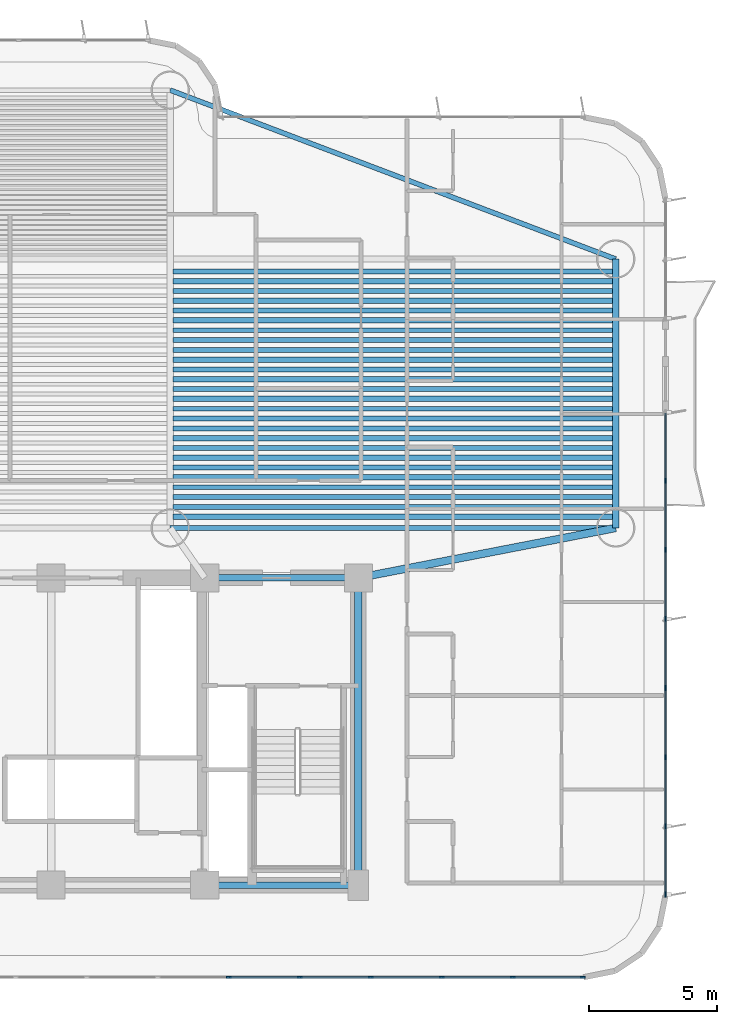
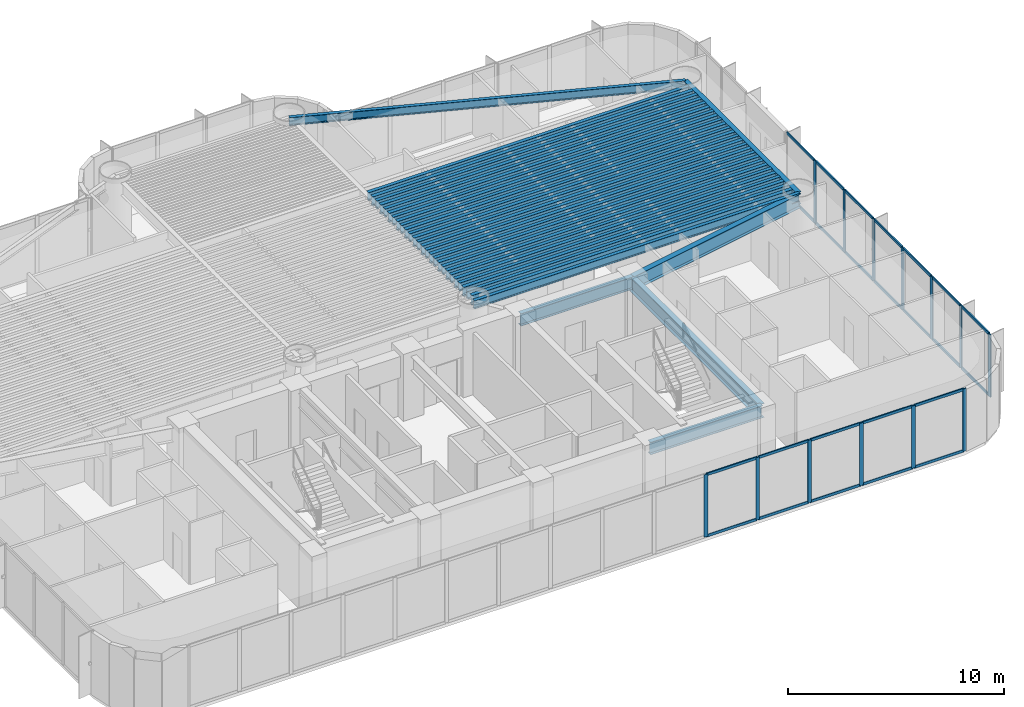
# One storey, part 5 of 19: 37 members, 33 beams, 2 elements without a shape of their own.
"""IFC4 building model written with IfcOpenShell, lengths in metres."""

from ifc_helpers import new_model, si_unit, direction, frame, origin, origin_2d, place, context, subcontext, project, spatial, rectangle, i_section, extrude, source, transform, mapped, material, layer, layer_set, material_profile, profile_set, type_object, element, aggregate, save


model = new_model("IFC4")

# Units and contexts
model_context = context("Model", 3, precision=1e-05, world=origin(), true_north=direction((0.0, 1.0)))
body_context = subcontext(model_context, "Body", "Model", "MODEL_VIEW")
ifc_project = project(units=[si_unit("LENGTHUNIT", "METRE"), si_unit("AREAUNIT", "SQUARE_METRE"), si_unit("VOLUMEUNIT", "CUBIC_METRE"), si_unit("PLANEANGLEUNIT", "RADIAN"), si_unit("MASSUNIT", "GRAM", prefix="KILO")], contexts=[model_context])

# Site, building, storey
site_placement = place(None, origin())
site = spatial("IfcSite", under=ifc_project, at=site_placement, CompositionType="ELEMENT")
building_placement = place(site_placement, origin())
building = spatial("IfcBuilding", under=site, at=building_placement, Name="Brelvock Crest Care Tower", CompositionType="ELEMENT")
storey_placement = place(building_placement, frame((0.0, 0.0, 34.56005859375)))
storey = spatial("IfcBuildingStorey", under=building, at=storey_placement, Name="L08", CompositionType="ELEMENT", Elevation=34.56005859375)

# Beams
ifc_material_1 = material(Name="Steel Grade 350", Category="steel")
ifc_material_profile_1 = material_profile(ifc_material_1, i_section(OverallWidth=0.25, OverallDepth=0.699951171875, WebThickness=0.011962890625, FlangeThickness=0.02001953125, at=origin_2d()), Name="700WB150")
ifc_profile_set_1 = profile_set([ifc_material_profile_1], Name="Steel Grade 350")
beam_type_1 = type_object("IfcBeamType", Name="BM-G4", PredefinedType="BEAM", material=ifc_profile_set_1)
shared_shape_1 = source(origin(), body_context, "Body", "SweptSolid", [
    extrude(i_section(OverallWidth=0.25, OverallDepth=0.699951171875, WebThickness=0.011962890625, FlangeThickness=0.02001953125, at=origin_2d()), origin(), (0.0, 0.0, 1.0), 6.0),
])
for number, where, z_axis, x_axis, name in (
    (1, (42.0, 6.0, 3.179931640625), (1.0, 0.0, 0.0), (0.0, 1.0, 0.0), "BM-CORES-L08-4"),
    (2, (42.0, 18.0, 3.179931640625), (1.0, 0.0, 0.0), (0.0, 1.0, 0.0), "BM-COREN-L08-4"),
):
    element("IfcBeam", number, at=place(storey_placement, frame(where, z_axis=z_axis, x_axis=x_axis)), inside=storey, type_object=beam_type_1, Name=name, PredefinedType="BEAM", context=body_context, shape_type="MappedRepresentation", body=[
        mapped(shared_shape_1, transform((0.0, 0.0, 0.0), x_axis=(1.0, 0.0, 0.0), y_axis=(0.0, 1.0, 0.0), z_axis=(0.0, 0.0, 1.0), scale=1.0)),
    ])
ifc_material_profile_2 = material_profile(ifc_material_1, i_section(OverallWidth=0.300048828125, OverallDepth=0.800048828125, WebThickness=0.013916015625, FlangeThickness=0.02197265625, at=origin_2d()), Name="800WB192")
ifc_profile_set_2 = profile_set([ifc_material_profile_2], Name="Steel Grade 350")
beam_type_2 = type_object("IfcBeamType", Name="BM-G5", PredefinedType="BEAM", material=ifc_profile_set_2)
shared_shape_2 = source(origin(), body_context, "Body", "SweptSolid", [
    extrude(i_section(OverallWidth=0.300048828125, OverallDepth=0.800048828125, WebThickness=0.013916015625, FlangeThickness=0.02197265625, at=origin_2d()), origin(), (0.0, 0.0, 1.0), 12.0),
])
beam_1_placement = place(storey_placement, frame((48.0, 6.0, 3.1298828125), z_axis=(0.0, 1.0, 0.0), x_axis=(-1.0, 0.0, 0.0)))
element("IfcBeam", 3, at=beam_1_placement, inside=storey, type_object=beam_type_2, Name="BM-COREX-L08-5", PredefinedType="BEAM", context=body_context, shape_type="MappedRepresentation", body=[
    mapped(shared_shape_2, transform((0.0, 0.0, 0.0), x_axis=(1.0, 0.0, 0.0), y_axis=(0.0, 1.0, 0.0), z_axis=(0.0, 0.0, 1.0), scale=1.0)),
])
shared_shape_3 = source(origin(), body_context, "Body", "SweptSolid", [
    extrude(i_section(OverallWidth=0.25, OverallDepth=0.699951171875, WebThickness=0.011962890625, FlangeThickness=0.02001953125, at=origin_2d()), origin(), (0.0, 0.0, 1.0), 10.5),
])
beam_2_placement = place(storey_placement, frame((58.050048828125, 19.949951171875, 3.179931640625), z_axis=(0.0, 1.0, 0.0), x_axis=(-1.0, 0.0, 0.0)))
element("IfcBeam", 4, at=beam_2_placement, inside=storey, type_object=beam_type_1, Name="BM-TWR-L08-02", PredefinedType="BEAM", context=body_context, shape_type="MappedRepresentation", body=[
    mapped(shared_shape_3, transform((0.0, 0.0, 0.0), x_axis=(1.0, 0.0, 0.0), y_axis=(0.0, 1.0, 0.0), z_axis=(0.0, 0.0, 1.0), scale=1.0)),
])
ifc_material_profile_3 = material_profile(ifc_material_1, i_section(OverallWidth=0.19091796875, OverallDepth=0.4599609375, WebThickness=0.010009765625, FlangeThickness=0.01611328125, FilletRadius=0.011474609375, at=origin_2d()), Name="460UB82.1")
ifc_profile_set_3 = profile_set([ifc_material_profile_3], Name="Steel Grade 350")
beam_type_3 = type_object("IfcBeamType", Name="BM-SP2", PredefinedType="SPANDREL", material=ifc_profile_set_3)
shared_shape_4 = source(origin(), body_context, "Body", "SweptSolid", [
    extrude(i_section(OverallWidth=0.19091796875, OverallDepth=0.4599609375, WebThickness=0.010009765625, FlangeThickness=0.01611328125, FilletRadius=0.011474609375, at=origin_2d()), origin(), (0.0, 0.0, 1.0), 17.400146484375),
])
beam_3_placement = place(storey_placement, frame((40.64990234375, 19.949951171875, 3.300048828125), z_axis=(1.0, 0.0, 0.0), x_axis=(0.0, 1.0, 0.0)))
element("IfcBeam", 5, at=beam_3_placement, inside=storey, type_object=beam_type_3, Name="BM-TWR-L08-04", PredefinedType="SPANDREL", context=body_context, shape_type="MappedRepresentation", body=[
    mapped(shared_shape_4, transform((0.0, 0.0, 0.0), x_axis=(1.0, 0.0, 0.0), y_axis=(0.0, 1.0, 0.0), z_axis=(0.0, 0.0, 1.0), scale=1.0)),
])
shared_shape_5 = source(origin(), body_context, "Body", "SweptSolid", [
    extrude(i_section(OverallWidth=0.19091796875, OverallDepth=0.4599609375, WebThickness=0.010009765625, FlangeThickness=0.01611328125, FilletRadius=0.011474609375, at=origin_2d()), origin(), (0.0, 0.0, 1.0), 18.60986328125),
])
beam_4_placement = place(storey_placement, frame((40.64990234375, 37.050048828125, 3.300048828125), z_axis=(0.934996776275, -0.3546562115, 0.0), x_axis=(0.3546562115, 0.934996776275, 0.0)))
element("IfcBeam", 6, at=beam_4_placement, inside=storey, type_object=beam_type_3, Name="BM-TWR-L08-07", PredefinedType="SPANDREL", context=body_context, shape_type="MappedRepresentation", body=[
    mapped(shared_shape_5, transform((0.0, 0.0, 0.0), x_axis=(1.0, 0.0, 0.0), y_axis=(0.0, 1.0, 0.0), z_axis=(0.0, 0.0, 1.0), scale=1.0)),
])
shared_shape_6 = source(origin(), body_context, "Body", "SweptSolid", [
    extrude(i_section(OverallWidth=0.300048828125, OverallDepth=0.800048828125, WebThickness=0.013916015625, FlangeThickness=0.02197265625, at=origin_2d()), origin(), (0.0, 0.0, 1.0), 10.237548828125),
])
beam_5_placement = place(storey_placement, frame((48.0, 18.0, 3.1298828125), z_axis=(0.981692632568, 0.190471979991, 0.0), x_axis=(-0.190471979991, 0.981692632568, 0.0)))
element("IfcBeam", 7, at=beam_5_placement, inside=storey, type_object=beam_type_2, Name="BM-THRO-E-L08", PredefinedType="BEAM", context=body_context, shape_type="MappedRepresentation", body=[
    mapped(shared_shape_6, transform((0.0, 0.0, 0.0), x_axis=(1.0, 0.0, 0.0), y_axis=(0.0, 1.0, 0.0), z_axis=(0.0, 0.0, 1.0), scale=1.0)),
])
ifc_material_profile_4 = material_profile(ifc_material_1, i_section(OverallWidth=0.208984375, OverallDepth=0.532958984375, WebThickness=0.01025390625, FlangeThickness=0.015625, FilletRadius=0.013916015625, at=origin_2d()), Name="530UB92.4")
ifc_profile_set_4 = profile_set([ifc_material_profile_4], Name="Steel Grade 350")
beam_type_4 = type_object("IfcBeamType", Name="BM-G2", PredefinedType="BEAM", material=ifc_profile_set_4)
shared_shape_7 = source(origin(), body_context, "Body", "SweptSolid", [
    extrude(i_section(OverallWidth=0.208984375, OverallDepth=0.532958984375, WebThickness=0.01025390625, FlangeThickness=0.015625, FilletRadius=0.013916015625, at=origin_2d()), origin(), (0.0, 0.0, 1.0), 17.170166015625),
])
for number, where, z_axis, x_axis, name in (
    (8, (40.764892578125, 20.39111328125, 3.263427734375), (1.0, 0.0, 0.0), (0.0, 1.0, 0.0), "BM-JE-L08-1"),
    (9, (40.764892578125, 21.157470703125, 3.263427734375), (1.0, 0.0, 0.0), (0.0, 1.0, 0.0), "BM-JE-L08-3"),
    (10, (40.764892578125, 21.924072265625, 3.263427734375), (1.0, 0.0, 0.0), (0.0, 1.0, 0.0), "BM-JE-L08-5"),
    (11, (40.764892578125, 22.6904296875, 3.263427734375), (1.0, 0.0, 0.0), (0.0, 1.0, 0.0), "BM-JE-L08-7"),
    (12, (40.764892578125, 23.45703125, 3.263427734375), (1.0, 0.0, 0.0), (0.0, 1.0, 0.0), "BM-JE-L08-9"),
    (13, (40.764892578125, 24.223388671875, 3.263427734375), (1.0, 0.0, 0.0), (0.0, 1.0, 0.0), "BM-JE-L08-11"),
    (14, (40.764892578125, 24.989990234375, 3.263427734375), (1.0, 0.0, 0.0), (0.0, 1.0, 0.0), "BM-JE-L08-13"),
    (15, (40.764892578125, 25.756591796875, 3.263427734375), (1.0, 0.0, 0.0), (0.0, 1.0, 0.0), "BM-JE-L08-15"),
    (16, (40.764892578125, 26.52294921875, 3.263427734375), (1.0, 0.0, 0.0), (0.0, 1.0, 0.0), "BM-JE-L08-17"),
    (17, (40.764892578125, 27.28955078125, 3.263427734375), (1.0, 0.0, 0.0), (0.0, 1.0, 0.0), "BM-JE-L08-19"),
    (18, (40.764892578125, 28.055908203125, 3.263427734375), (1.0, 0.0, 0.0), (0.0, 1.0, 0.0), "BM-JE-L08-21"),
    (19, (40.764892578125, 28.822509765625, 3.263427734375), (1.0, 0.0, 0.0), (0.0, 1.0, 0.0), "BM-JE-L08-23"),
    (20, (40.764892578125, 29.589111328125, 3.263427734375), (1.0, 0.0, 0.0), (0.0, 1.0, 0.0), "BM-JE-L08-25"),
):
    element("IfcBeam", number, at=place(storey_placement, frame(where, z_axis=z_axis, x_axis=x_axis)), inside=storey, type_object=beam_type_4, Name=name, PredefinedType="BEAM", context=body_context, shape_type="MappedRepresentation", body=[
        mapped(shared_shape_7, transform((0.0, 0.0, 0.0), x_axis=(1.0, 0.0, 0.0), y_axis=(0.0, 1.0, 0.0), z_axis=(0.0, 0.0, 1.0), scale=1.0)),
    ])
ifc_material_profile_5 = material_profile(ifc_material_1, i_section(OverallWidth=0.19091796875, OverallDepth=0.4599609375, WebThickness=0.010009765625, FlangeThickness=0.01611328125, FilletRadius=0.011474609375, at=origin_2d()), Name="460UB82.1")
ifc_profile_set_5 = profile_set([ifc_material_profile_5], Name="Steel Grade 350")
beam_type_5 = type_object("IfcBeamType", Name="BM-G3", PredefinedType="BEAM", material=ifc_profile_set_5)
shared_shape_8 = source(origin(), body_context, "Body", "SweptSolid", [
    extrude(i_section(OverallWidth=0.19091796875, OverallDepth=0.4599609375, WebThickness=0.010009765625, FlangeThickness=0.01611328125, FilletRadius=0.011474609375, at=origin_2d()), origin(), (0.0, 0.0, 1.0), 17.170166015625),
])
for number, where, z_axis, x_axis, name in (
    (21, (40.764892578125, 20.774169921875, 3.300048828125), (1.0, 0.0, 0.0), (0.0, 1.0, 0.0), "BM-JE-L08-2"),
    (22, (40.764892578125, 21.540771484375, 3.300048828125), (1.0, 0.0, 0.0), (0.0, 1.0, 0.0), "BM-JE-L08-4"),
    (23, (40.764892578125, 22.30712890625, 3.300048828125), (1.0, 0.0, 0.0), (0.0, 1.0, 0.0), "BM-JE-L08-6"),
    (24, (40.764892578125, 23.07373046875, 3.300048828125), (1.0, 0.0, 0.0), (0.0, 1.0, 0.0), "BM-JE-L08-8"),
    (25, (40.764892578125, 23.840087890625, 3.300048828125), (1.0, 0.0, 0.0), (0.0, 1.0, 0.0), "BM-JE-L08-10"),
    (26, (40.764892578125, 24.606689453125, 3.300048828125), (1.0, 0.0, 0.0), (0.0, 1.0, 0.0), "BM-JE-L08-12"),
    (27, (40.764892578125, 25.373291015625, 3.300048828125), (1.0, 0.0, 0.0), (0.0, 1.0, 0.0), "BM-JE-L08-14"),
    (28, (40.764892578125, 26.1396484375, 3.300048828125), (1.0, 0.0, 0.0), (0.0, 1.0, 0.0), "BM-JE-L08-16"),
    (29, (40.764892578125, 26.90625, 3.300048828125), (1.0, 0.0, 0.0), (0.0, 1.0, 0.0), "BM-JE-L08-18"),
    (30, (40.764892578125, 27.6728515625, 3.300048828125), (1.0, 0.0, 0.0), (0.0, 1.0, 0.0), "BM-JE-L08-20"),
    (31, (40.764892578125, 28.439208984375, 3.300048828125), (1.0, 0.0, 0.0), (0.0, 1.0, 0.0), "BM-JE-L08-22"),
    (32, (40.764892578125, 29.205810546875, 3.300048828125), (1.0, 0.0, 0.0), (0.0, 1.0, 0.0), "BM-JE-L08-24"),
    (33, (40.764892578125, 29.97216796875, 3.300048828125), (1.0, 0.0, 0.0), (0.0, 1.0, 0.0), "BM-JE-L08-26"),
):
    element("IfcBeam", number, at=place(storey_placement, frame(where, z_axis=z_axis, x_axis=x_axis)), inside=storey, type_object=beam_type_5, Name=name, PredefinedType="BEAM", context=body_context, shape_type="MappedRepresentation", body=[
        mapped(shared_shape_8, transform((0.0, 0.0, 0.0), x_axis=(1.0, 0.0, 0.0), y_axis=(0.0, 1.0, 0.0), z_axis=(0.0, 0.0, 1.0), scale=1.0)),
    ])

# Curtain wall, members
ifc_material_2 = material(Name="Dark Glass Double Glazed Low-E", Category="glass")
ifc_layer = layer(ifc_material_2, 0.195068359375, Name="CWS-2")
ifc_layer_set = layer_set([ifc_layer], Name="Dark Glass Double Glazed Low-E")
curtain_wall_type = type_object("IfcCurtainWallType", Name="CWS-2", PredefinedType="NOTDEFINED", material=ifc_layer_set)
curtain_wall_1_placement = place(storey_placement, origin())
curtain_wall_1 = element("IfcCurtainWall", 34, at=curtain_wall_1_placement, inside=storey, type_object=curtain_wall_type, Name="L08 Curtain Wall E03B", PredefinedType="NOTDEFINED")
ifc_material_3 = material(Name="Aluminium 6063-T6", Category="aluminium")
ifc_material_profile_6 = material_profile(ifc_material_3, rectangle(XDim=0.06494140625, YDim=0.199951171875, at=origin_2d()), Name="ALU65x200")
ifc_profile_set_6 = profile_set([ifc_material_profile_6], Name="Aluminium 6063-T6")
member_type_1 = type_object("IfcMemberType", Name="CWM-1", PredefinedType="MULLION", material=ifc_profile_set_6)
shared_shape_9 = source(origin(), body_context, "Body", "SweptSolid", [
    extrude(rectangle(XDim=0.06494140625, YDim=0.199951171875, at=origin_2d()), origin(), (0.0, 0.0, 1.0), 3.530029296875),
])
member_1_placement = place(storey_placement, frame((60.0, 21.800048828125, 0.0), z_axis=(0.0, 0.0, 1.0), x_axis=(1.0, 0.0, 0.0)))
member_1 = element("IfcMember", 35, at=member_1_placement, type_object=member_type_1, Name="CW-2 mullion 2", PredefinedType="MULLION", context=body_context, shape_type="MappedRepresentation", body=[
    mapped(shared_shape_9, transform((0.0, 0.0, 0.0), x_axis=(1.0, 0.0, 0.0), y_axis=(0.0, 1.0, 0.0), z_axis=(0.0, 0.0, 1.0), scale=1.0)),
])
member_2_placement = place(storey_placement, frame((60.0, 19.10009765625, 0.0), z_axis=(0.0, 0.0, 1.0), x_axis=(1.0, 0.0, 0.0)))
member_2 = element("IfcMember", 36, at=member_2_placement, type_object=member_type_1, Name="CW-2 mullion 3", PredefinedType="MULLION", context=body_context, shape_type="MappedRepresentation", body=[
    mapped(shared_shape_9, transform((0.0, 0.0, 0.0), x_axis=(1.0, 0.0, 0.0), y_axis=(0.0, 1.0, 0.0), z_axis=(0.0, 0.0, 1.0), scale=1.0)),
])
member_3_placement = place(storey_placement, frame((60.0, 16.39990234375, 0.0), z_axis=(0.0, 0.0, 1.0), x_axis=(1.0, 0.0, 0.0)))
member_3 = element("IfcMember", 37, at=member_3_placement, type_object=member_type_1, Name="CW-2 mullion 4", PredefinedType="MULLION", context=body_context, shape_type="MappedRepresentation", body=[
    mapped(shared_shape_9, transform((0.0, 0.0, 0.0), x_axis=(1.0, 0.0, 0.0), y_axis=(0.0, 1.0, 0.0), z_axis=(0.0, 0.0, 1.0), scale=1.0)),
])
member_4_placement = place(storey_placement, frame((60.0, 13.699951171875, 0.0), z_axis=(0.0, 0.0, 1.0), x_axis=(1.0, 0.0, 0.0)))
member_4 = element("IfcMember", 38, at=member_4_placement, type_object=member_type_1, Name="CW-2 mullion 5", PredefinedType="MULLION", context=body_context, shape_type="MappedRepresentation", body=[
    mapped(shared_shape_9, transform((0.0, 0.0, 0.0), x_axis=(1.0, 0.0, 0.0), y_axis=(0.0, 1.0, 0.0), z_axis=(0.0, 0.0, 1.0), scale=1.0)),
])
member_5_placement = place(storey_placement, frame((60.0, 11.0, 0.0), z_axis=(0.0, 0.0, 1.0), x_axis=(1.0, 0.0, 0.0)))
member_5 = element("IfcMember", 39, at=member_5_placement, type_object=member_type_1, Name="CW-2 mullion 6", PredefinedType="MULLION", context=body_context, shape_type="MappedRepresentation", body=[
    mapped(shared_shape_9, transform((0.0, 0.0, 0.0), x_axis=(1.0, 0.0, 0.0), y_axis=(0.0, 1.0, 0.0), z_axis=(0.0, 0.0, 1.0), scale=1.0)),
])
member_6_placement = place(storey_placement, frame((60.0, 8.300048828125, 0.0), z_axis=(0.0, 0.0, 1.0), x_axis=(1.0, 0.0, 0.0)))
member_6 = element("IfcMember", 40, at=member_6_placement, type_object=member_type_1, Name="CW-2 mullion 7", PredefinedType="MULLION", context=body_context, shape_type="MappedRepresentation", body=[
    mapped(shared_shape_9, transform((0.0, 0.0, 0.0), x_axis=(1.0, 0.0, 0.0), y_axis=(0.0, 1.0, 0.0), z_axis=(0.0, 0.0, 1.0), scale=1.0)),
])
member_7_placement = place(storey_placement, frame((60.0, 5.632568359375, 0.0), z_axis=(0.0, 0.0, 1.0), x_axis=(1.0, 0.0, 0.0)))
member_7 = element("IfcMember", 41, at=member_7_placement, type_object=member_type_1, Name="CW-2 mullion 8", PredefinedType="MULLION", context=body_context, shape_type="MappedRepresentation", body=[
    mapped(shared_shape_9, transform((0.0, 0.0, 0.0), x_axis=(1.0, 0.0, 0.0), y_axis=(0.0, 1.0, 0.0), z_axis=(0.0, 0.0, 1.0), scale=1.0)),
])

curtain_wall_2_placement = place(storey_placement, origin())
curtain_wall_2 = element("IfcCurtainWall", 42, at=curtain_wall_2_placement, inside=storey, type_object=curtain_wall_type, Name="L08 Curtain Wall E08", PredefinedType="NOTDEFINED")
member_8_placement = place(storey_placement, frame((56.767578125, 2.39990234375, 0.0), z_axis=(0.0, 0.0, 1.0), x_axis=(0.0, -1.0, 0.0)))
member_8 = element("IfcMember", 43, at=member_8_placement, type_object=member_type_1, Name="CW-2 mullion 1", PredefinedType="MULLION", context=body_context, shape_type="MappedRepresentation", body=[
    mapped(shared_shape_9, transform((0.0, 0.0, 0.0), x_axis=(1.0, 0.0, 0.0), y_axis=(0.0, 1.0, 0.0), z_axis=(0.0, 0.0, 1.0), scale=1.0)),
])
member_9_placement = place(storey_placement, frame((54.026611328125, 2.39990234375, 0.0), z_axis=(0.0, 0.0, 1.0), x_axis=(0.0, -1.0, 0.0)))
member_9 = element("IfcMember", 44, at=member_9_placement, type_object=member_type_1, Name="CW-2 mullion 2", PredefinedType="MULLION", context=body_context, shape_type="MappedRepresentation", body=[
    mapped(shared_shape_9, transform((0.0, 0.0, 0.0), x_axis=(1.0, 0.0, 0.0), y_axis=(0.0, 1.0, 0.0), z_axis=(0.0, 0.0, 1.0), scale=1.0)),
])
member_10_placement = place(storey_placement, frame((51.25341796875, 2.39990234375, 0.0), z_axis=(0.0, 0.0, 1.0), x_axis=(0.0, -1.0, 0.0)))
member_10 = element("IfcMember", 45, at=member_10_placement, type_object=member_type_1, Name="CW-2 mullion 3", PredefinedType="MULLION", context=body_context, shape_type="MappedRepresentation", body=[
    mapped(shared_shape_9, transform((0.0, 0.0, 0.0), x_axis=(1.0, 0.0, 0.0), y_axis=(0.0, 1.0, 0.0), z_axis=(0.0, 0.0, 1.0), scale=1.0)),
])
member_11_placement = place(storey_placement, frame((48.47998046875, 2.39990234375, 0.0), z_axis=(0.0, 0.0, 1.0), x_axis=(0.0, -1.0, 0.0)))
member_11 = element("IfcMember", 46, at=member_11_placement, type_object=member_type_1, Name="CW-2 mullion 4", PredefinedType="MULLION", context=body_context, shape_type="MappedRepresentation", body=[
    mapped(shared_shape_9, transform((0.0, 0.0, 0.0), x_axis=(1.0, 0.0, 0.0), y_axis=(0.0, 1.0, 0.0), z_axis=(0.0, 0.0, 1.0), scale=1.0)),
])
member_12_placement = place(storey_placement, frame((45.706787109375, 2.39990234375, 0.0), z_axis=(0.0, 0.0, 1.0), x_axis=(0.0, -1.0, 0.0)))
member_12 = element("IfcMember", 47, at=member_12_placement, type_object=member_type_1, Name="CW-2 mullion 5", PredefinedType="MULLION", context=body_context, shape_type="MappedRepresentation", body=[
    mapped(shared_shape_9, transform((0.0, 0.0, 0.0), x_axis=(1.0, 0.0, 0.0), y_axis=(0.0, 1.0, 0.0), z_axis=(0.0, 0.0, 1.0), scale=1.0)),
])
member_13_placement = place(storey_placement, frame((42.933349609375, 2.39990234375, 0.0), z_axis=(0.0, 0.0, 1.0), x_axis=(0.0, -1.0, 0.0)))
member_13 = element("IfcMember", 48, at=member_13_placement, type_object=member_type_1, Name="CW-2 mullion 6", PredefinedType="MULLION", context=body_context, shape_type="MappedRepresentation", body=[
    mapped(shared_shape_9, transform((0.0, 0.0, 0.0), x_axis=(1.0, 0.0, 0.0), y_axis=(0.0, 1.0, 0.0), z_axis=(0.0, 0.0, 1.0), scale=1.0)),
])
ifc_material_profile_7 = material_profile(ifc_material_3, rectangle(XDim=0.06494140625, YDim=0.14990234375, at=origin_2d()), Name="ALU65x150")
ifc_profile_set_7 = profile_set([ifc_material_profile_7], Name="Aluminium 6063-T6")
member_type_2 = type_object("IfcMemberType", Name="CWT-1", PredefinedType="USERDEFINED", material=ifc_profile_set_7)
shared_shape_10 = source(origin(), body_context, "Body", "SweptSolid", [
    extrude(rectangle(XDim=0.06494140625, YDim=0.14990234375, at=origin_2d()), origin(), (0.0, 0.0, 1.0), 2.676025390625),
])
member_14_placement = place(storey_placement, frame((56.735107421875, 2.39990234375, 0.032470703125), z_axis=(-1.0, 0.0, 0.0), x_axis=(0.0, -1.0, 0.0)))
member_14 = element("IfcMember", 49, at=member_14_placement, type_object=member_type_2, Name="CW-2 transom 1.1", ObjectType="TRANSOM", PredefinedType="USERDEFINED", context=body_context, shape_type="MappedRepresentation", body=[
    mapped(shared_shape_10, transform((0.0, 0.0, 0.0), x_axis=(1.0, 0.0, 0.0), y_axis=(0.0, 1.0, 0.0), z_axis=(0.0, 0.0, 1.0), scale=1.0)),
])
member_15_placement = place(storey_placement, frame((56.735107421875, 2.39990234375, 3.49755859375), z_axis=(-1.0, 0.0, 0.0), x_axis=(0.0, -1.0, 0.0)))
member_15 = element("IfcMember", 50, at=member_15_placement, type_object=member_type_2, Name="CW-2 transom 1.2", ObjectType="TRANSOM", PredefinedType="USERDEFINED", context=body_context, shape_type="MappedRepresentation", body=[
    mapped(shared_shape_10, transform((0.0, 0.0, 0.0), x_axis=(1.0, 0.0, 0.0), y_axis=(0.0, 1.0, 0.0), z_axis=(0.0, 0.0, 1.0), scale=1.0)),
])
shared_shape_11 = source(origin(), body_context, "Body", "SweptSolid", [
    extrude(rectangle(XDim=0.06494140625, YDim=0.14990234375, at=origin_2d()), origin(), (0.0, 0.0, 1.0), 2.708251953125),
])
member_16_placement = place(storey_placement, frame((53.994140625, 2.39990234375, 0.032470703125), z_axis=(-1.0, 0.0, 0.0), x_axis=(0.0, -1.0, 0.0)))
member_16 = element("IfcMember", 51, at=member_16_placement, type_object=member_type_2, Name="CW-2 transom 2.1", ObjectType="TRANSOM", PredefinedType="USERDEFINED", context=body_context, shape_type="MappedRepresentation", body=[
    mapped(shared_shape_11, transform((0.0, 0.0, 0.0), x_axis=(1.0, 0.0, 0.0), y_axis=(0.0, 1.0, 0.0), z_axis=(0.0, 0.0, 1.0), scale=1.0)),
])
member_17_placement = place(storey_placement, frame((53.994140625, 2.39990234375, 3.49755859375), z_axis=(-1.0, 0.0, 0.0), x_axis=(0.0, -1.0, 0.0)))
member_17 = element("IfcMember", 52, at=member_17_placement, type_object=member_type_2, Name="CW-2 transom 2.2", ObjectType="TRANSOM", PredefinedType="USERDEFINED", context=body_context, shape_type="MappedRepresentation", body=[
    mapped(shared_shape_11, transform((0.0, 0.0, 0.0), x_axis=(1.0, 0.0, 0.0), y_axis=(0.0, 1.0, 0.0), z_axis=(0.0, 0.0, 1.0), scale=1.0)),
])
member_18_placement = place(storey_placement, frame((48.447509765625, 2.39990234375, 0.032470703125), z_axis=(-1.0, 0.0, 0.0), x_axis=(0.0, -1.0, 0.0)))
member_18 = element("IfcMember", 53, at=member_18_placement, type_object=member_type_2, Name="CW-2 transom 4.1", ObjectType="TRANSOM", PredefinedType="USERDEFINED", context=body_context, shape_type="MappedRepresentation", body=[
    mapped(shared_shape_11, transform((0.0, 0.0, 0.0), x_axis=(1.0, 0.0, 0.0), y_axis=(0.0, 1.0, 0.0), z_axis=(0.0, 0.0, 1.0), scale=1.0)),
])
member_19_placement = place(storey_placement, frame((48.447509765625, 2.39990234375, 3.49755859375), z_axis=(-1.0, 0.0, 0.0), x_axis=(0.0, -1.0, 0.0)))
member_19 = element("IfcMember", 54, at=member_19_placement, type_object=member_type_2, Name="CW-2 transom 4.2", ObjectType="TRANSOM", PredefinedType="USERDEFINED", context=body_context, shape_type="MappedRepresentation", body=[
    mapped(shared_shape_11, transform((0.0, 0.0, 0.0), x_axis=(1.0, 0.0, 0.0), y_axis=(0.0, 1.0, 0.0), z_axis=(0.0, 0.0, 1.0), scale=1.0)),
])
member_20_placement = place(storey_placement, frame((45.674072265625, 2.39990234375, 0.032470703125), z_axis=(-1.0, 0.0, 0.0), x_axis=(0.0, -1.0, 0.0)))
member_20 = element("IfcMember", 55, at=member_20_placement, type_object=member_type_2, Name="CW-2 transom 5.1", ObjectType="TRANSOM", PredefinedType="USERDEFINED", context=body_context, shape_type="MappedRepresentation", body=[
    mapped(shared_shape_11, transform((0.0, 0.0, 0.0), x_axis=(1.0, 0.0, 0.0), y_axis=(0.0, 1.0, 0.0), z_axis=(0.0, 0.0, 1.0), scale=1.0)),
])
member_21_placement = place(storey_placement, frame((45.674072265625, 2.39990234375, 3.49755859375), z_axis=(-1.0, 0.0, 0.0), x_axis=(0.0, -1.0, 0.0)))
member_21 = element("IfcMember", 56, at=member_21_placement, type_object=member_type_2, Name="CW-2 transom 5.2", ObjectType="TRANSOM", PredefinedType="USERDEFINED", context=body_context, shape_type="MappedRepresentation", body=[
    mapped(shared_shape_11, transform((0.0, 0.0, 0.0), x_axis=(1.0, 0.0, 0.0), y_axis=(0.0, 1.0, 0.0), z_axis=(0.0, 0.0, 1.0), scale=1.0)),
])
shared_shape_12 = source(origin(), body_context, "Body", "SweptSolid", [
    extrude(rectangle(XDim=0.06494140625, YDim=0.14990234375, at=origin_2d()), origin(), (0.0, 0.0, 1.0), 2.70849609375),
])
member_22_placement = place(storey_placement, frame((51.220947265625, 2.39990234375, 0.032470703125), z_axis=(-1.0, 0.0, 0.0), x_axis=(0.0, -1.0, 0.0)))
member_22 = element("IfcMember", 57, at=member_22_placement, type_object=member_type_2, Name="CW-2 transom 3.1", ObjectType="TRANSOM", PredefinedType="USERDEFINED", context=body_context, shape_type="MappedRepresentation", body=[
    mapped(shared_shape_12, transform((0.0, 0.0, 0.0), x_axis=(1.0, 0.0, 0.0), y_axis=(0.0, 1.0, 0.0), z_axis=(0.0, 0.0, 1.0), scale=1.0)),
])
member_23_placement = place(storey_placement, frame((51.220947265625, 2.39990234375, 3.49755859375), z_axis=(-1.0, 0.0, 0.0), x_axis=(0.0, -1.0, 0.0)))
member_23 = element("IfcMember", 58, at=member_23_placement, type_object=member_type_2, Name="CW-2 transom 3.2", ObjectType="TRANSOM", PredefinedType="USERDEFINED", context=body_context, shape_type="MappedRepresentation", body=[
    mapped(shared_shape_12, transform((0.0, 0.0, 0.0), x_axis=(1.0, 0.0, 0.0), y_axis=(0.0, 1.0, 0.0), z_axis=(0.0, 0.0, 1.0), scale=1.0)),
])
aggregate(curtain_wall_2, [member_8, member_9, member_10, member_11, member_12, member_13, member_14, member_15, member_16, member_17, member_22, member_23, member_18, member_19, member_20, member_21])

# Member
shared_shape_13 = source(origin(), body_context, "Body", "SweptSolid", [
    extrude(rectangle(XDim=0.06494140625, YDim=0.14990234375, at=origin_2d()), origin(), (0.0, 0.0, 1.0), 2.6025390625),
])
member_24_placement = place(storey_placement, frame((60.0, 24.43505859375, 0.032470703125), z_axis=(0.0, -1.0, 0.0), x_axis=(1.0, 0.0, 0.0)))
member_24 = element("IfcMember", 59, at=member_24_placement, type_object=member_type_2, Name="CW-2 transom 1.1", ObjectType="TRANSOM", PredefinedType="USERDEFINED", context=body_context, shape_type="MappedRepresentation", body=[
    mapped(shared_shape_13, transform((0.0, 0.0, 0.0), x_axis=(1.0, 0.0, 0.0), y_axis=(0.0, 1.0, 0.0), z_axis=(0.0, 0.0, 1.0), scale=1.0)),
])

member_25_placement = place(storey_placement, frame((60.0, 24.43505859375, 3.49755859375), z_axis=(0.0, -1.0, 0.0), x_axis=(1.0, 0.0, 0.0)))
member_25 = element("IfcMember", 60, at=member_25_placement, type_object=member_type_2, Name="CW-2 transom 1.2", ObjectType="TRANSOM", PredefinedType="USERDEFINED", context=body_context, shape_type="MappedRepresentation", body=[
    mapped(shared_shape_13, transform((0.0, 0.0, 0.0), x_axis=(1.0, 0.0, 0.0), y_axis=(0.0, 1.0, 0.0), z_axis=(0.0, 0.0, 1.0), scale=1.0)),
])

member_26_placement = place(storey_placement, frame((60.0, 8.267578125, 0.032470703125), z_axis=(0.0, -1.0, 0.0), x_axis=(1.0, 0.0, 0.0)))
member_26 = element("IfcMember", 61, at=member_26_placement, type_object=member_type_2, Name="CW-2 transom 7.1", ObjectType="TRANSOM", PredefinedType="USERDEFINED", context=body_context, shape_type="MappedRepresentation", body=[
    mapped(shared_shape_13, transform((0.0, 0.0, 0.0), x_axis=(1.0, 0.0, 0.0), y_axis=(0.0, 1.0, 0.0), z_axis=(0.0, 0.0, 1.0), scale=1.0)),
])

member_27_placement = place(storey_placement, frame((60.0, 8.267578125, 3.49755859375), z_axis=(0.0, -1.0, 0.0), x_axis=(1.0, 0.0, 0.0)))
member_27 = element("IfcMember", 62, at=member_27_placement, type_object=member_type_2, Name="CW-2 transom 7.2", ObjectType="TRANSOM", PredefinedType="USERDEFINED", context=body_context, shape_type="MappedRepresentation", body=[
    mapped(shared_shape_13, transform((0.0, 0.0, 0.0), x_axis=(1.0, 0.0, 0.0), y_axis=(0.0, 1.0, 0.0), z_axis=(0.0, 0.0, 1.0), scale=1.0)),
])

shared_shape_14 = source(origin(), body_context, "Body", "SweptSolid", [
    extrude(rectangle(XDim=0.06494140625, YDim=0.14990234375, at=origin_2d()), origin(), (0.0, 0.0, 1.0), 2.635009765625),
])
member_28_placement = place(storey_placement, frame((60.0, 21.767578125, 0.032470703125), z_axis=(0.0, -1.0, 0.0), x_axis=(1.0, 0.0, 0.0)))
member_28 = element("IfcMember", 63, at=member_28_placement, type_object=member_type_2, Name="CW-2 transom 2.1", ObjectType="TRANSOM", PredefinedType="USERDEFINED", context=body_context, shape_type="MappedRepresentation", body=[
    mapped(shared_shape_14, transform((0.0, 0.0, 0.0), x_axis=(1.0, 0.0, 0.0), y_axis=(0.0, 1.0, 0.0), z_axis=(0.0, 0.0, 1.0), scale=1.0)),
])

member_29_placement = place(storey_placement, frame((60.0, 21.767578125, 3.49755859375), z_axis=(0.0, -1.0, 0.0), x_axis=(1.0, 0.0, 0.0)))
member_29 = element("IfcMember", 64, at=member_29_placement, type_object=member_type_2, Name="CW-2 transom 2.2", ObjectType="TRANSOM", PredefinedType="USERDEFINED", context=body_context, shape_type="MappedRepresentation", body=[
    mapped(shared_shape_14, transform((0.0, 0.0, 0.0), x_axis=(1.0, 0.0, 0.0), y_axis=(0.0, 1.0, 0.0), z_axis=(0.0, 0.0, 1.0), scale=1.0)),
])

member_30_placement = place(storey_placement, frame((60.0, 16.367431640625, 0.032470703125), z_axis=(0.0, -1.0, 0.0), x_axis=(1.0, 0.0, 0.0)))
member_30 = element("IfcMember", 65, at=member_30_placement, type_object=member_type_2, Name="CW-2 transom 4.1", ObjectType="TRANSOM", PredefinedType="USERDEFINED", context=body_context, shape_type="MappedRepresentation", body=[
    mapped(shared_shape_14, transform((0.0, 0.0, 0.0), x_axis=(1.0, 0.0, 0.0), y_axis=(0.0, 1.0, 0.0), z_axis=(0.0, 0.0, 1.0), scale=1.0)),
])

member_31_placement = place(storey_placement, frame((60.0, 16.367431640625, 3.49755859375), z_axis=(0.0, -1.0, 0.0), x_axis=(1.0, 0.0, 0.0)))
member_31 = element("IfcMember", 66, at=member_31_placement, type_object=member_type_2, Name="CW-2 transom 4.2", ObjectType="TRANSOM", PredefinedType="USERDEFINED", context=body_context, shape_type="MappedRepresentation", body=[
    mapped(shared_shape_14, transform((0.0, 0.0, 0.0), x_axis=(1.0, 0.0, 0.0), y_axis=(0.0, 1.0, 0.0), z_axis=(0.0, 0.0, 1.0), scale=1.0)),
])

member_32_placement = place(storey_placement, frame((60.0, 13.66748046875, 0.032470703125), z_axis=(0.0, -1.0, 0.0), x_axis=(1.0, 0.0, 0.0)))
member_32 = element("IfcMember", 67, at=member_32_placement, type_object=member_type_2, Name="CW-2 transom 5.1", ObjectType="TRANSOM", PredefinedType="USERDEFINED", context=body_context, shape_type="MappedRepresentation", body=[
    mapped(shared_shape_14, transform((0.0, 0.0, 0.0), x_axis=(1.0, 0.0, 0.0), y_axis=(0.0, 1.0, 0.0), z_axis=(0.0, 0.0, 1.0), scale=1.0)),
])

member_33_placement = place(storey_placement, frame((60.0, 13.66748046875, 3.49755859375), z_axis=(0.0, -1.0, 0.0), x_axis=(1.0, 0.0, 0.0)))
member_33 = element("IfcMember", 68, at=member_33_placement, type_object=member_type_2, Name="CW-2 transom 5.2", ObjectType="TRANSOM", PredefinedType="USERDEFINED", context=body_context, shape_type="MappedRepresentation", body=[
    mapped(shared_shape_14, transform((0.0, 0.0, 0.0), x_axis=(1.0, 0.0, 0.0), y_axis=(0.0, 1.0, 0.0), z_axis=(0.0, 0.0, 1.0), scale=1.0)),
])

member_34_placement = place(storey_placement, frame((60.0, 10.967529296875, 0.032470703125), z_axis=(0.0, -1.0, 0.0), x_axis=(1.0, 0.0, 0.0)))
member_34 = element("IfcMember", 69, at=member_34_placement, type_object=member_type_2, Name="CW-2 transom 6.1", ObjectType="TRANSOM", PredefinedType="USERDEFINED", context=body_context, shape_type="MappedRepresentation", body=[
    mapped(shared_shape_14, transform((0.0, 0.0, 0.0), x_axis=(1.0, 0.0, 0.0), y_axis=(0.0, 1.0, 0.0), z_axis=(0.0, 0.0, 1.0), scale=1.0)),
])

member_35_placement = place(storey_placement, frame((60.0, 10.967529296875, 3.49755859375), z_axis=(0.0, -1.0, 0.0), x_axis=(1.0, 0.0, 0.0)))
member_35 = element("IfcMember", 70, at=member_35_placement, type_object=member_type_2, Name="CW-2 transom 6.2", ObjectType="TRANSOM", PredefinedType="USERDEFINED", context=body_context, shape_type="MappedRepresentation", body=[
    mapped(shared_shape_14, transform((0.0, 0.0, 0.0), x_axis=(1.0, 0.0, 0.0), y_axis=(0.0, 1.0, 0.0), z_axis=(0.0, 0.0, 1.0), scale=1.0)),
])

shared_shape_15 = source(origin(), body_context, "Body", "SweptSolid", [
    extrude(rectangle(XDim=0.06494140625, YDim=0.14990234375, at=origin_2d()), origin(), (0.0, 0.0, 1.0), 2.634765625),
])
member_36_placement = place(storey_placement, frame((60.0, 19.0673828125, 0.032470703125), z_axis=(0.0, -1.0, 0.0), x_axis=(1.0, 0.0, 0.0)))
member_36 = element("IfcMember", 71, at=member_36_placement, type_object=member_type_2, Name="CW-2 transom 3.1", ObjectType="TRANSOM", PredefinedType="USERDEFINED", context=body_context, shape_type="MappedRepresentation", body=[
    mapped(shared_shape_15, transform((0.0, 0.0, 0.0), x_axis=(1.0, 0.0, 0.0), y_axis=(0.0, 1.0, 0.0), z_axis=(0.0, 0.0, 1.0), scale=1.0)),
])

member_37_placement = place(storey_placement, frame((60.0, 19.0673828125, 3.49755859375), z_axis=(0.0, -1.0, 0.0), x_axis=(1.0, 0.0, 0.0)))
member_37 = element("IfcMember", 72, at=member_37_placement, type_object=member_type_2, Name="CW-2 transom 3.2", ObjectType="TRANSOM", PredefinedType="USERDEFINED", context=body_context, shape_type="MappedRepresentation", body=[
    mapped(shared_shape_15, transform((0.0, 0.0, 0.0), x_axis=(1.0, 0.0, 0.0), y_axis=(0.0, 1.0, 0.0), z_axis=(0.0, 0.0, 1.0), scale=1.0)),
])

aggregate(curtain_wall_1, [member_1, member_2, member_3, member_4, member_5, member_6, member_7, member_24, member_25, member_28, member_29, member_36, member_37, member_30, member_31, member_32, member_33, member_34, member_35, member_26, member_27])

save(model, "model.ifc")
